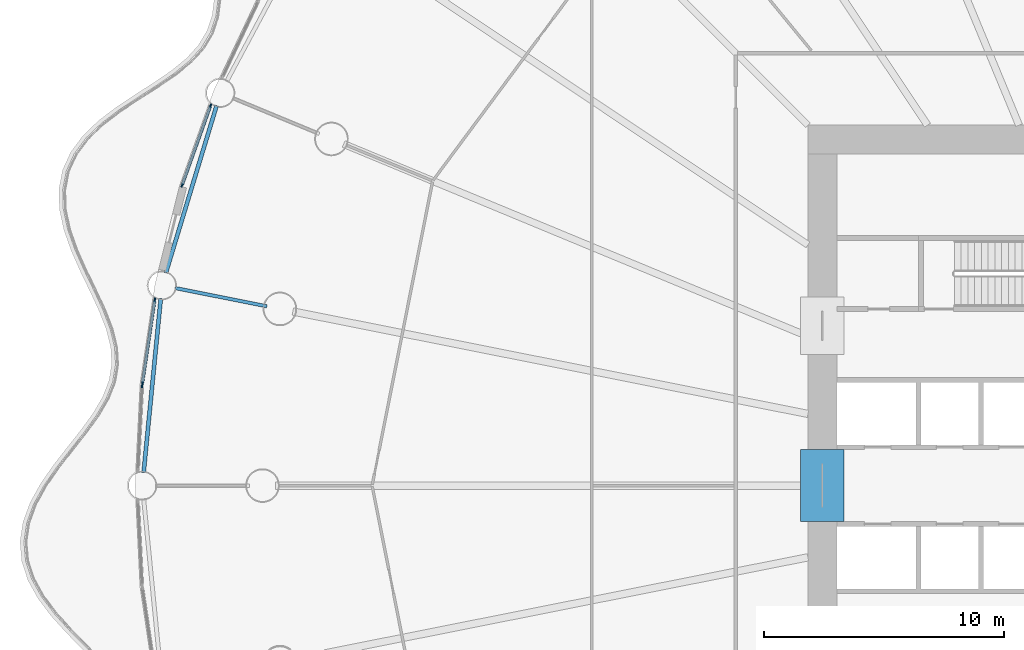
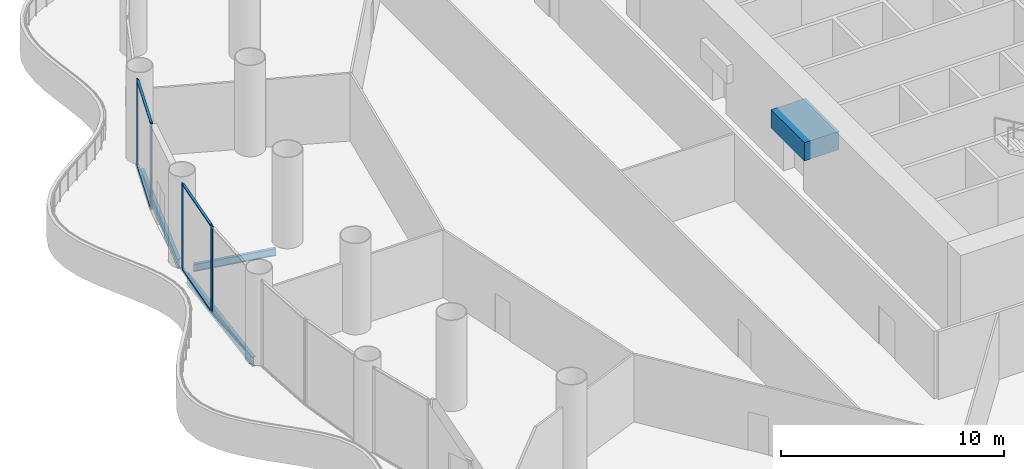
# One storey, part 8 of 36: 9 members, 4 beams, 3 elements without a shape of their own.
"""IFC4 building model written with IfcOpenShell, lengths in metres."""

from ifc_helpers import new_model, si_unit, direction, frame, origin, origin_2d, place, context, subcontext, project, spatial, rectangle, i_section, extrude, material, material_profile, profile_set, type_object, element, aggregate, save


model = new_model("IFC4")

# Units and contexts
model_context = context("Model", 3, precision=1e-05, world=origin(), true_north=direction((0.0, 1.0)))
body_context = subcontext(model_context, "Body", "Model", "MODEL_VIEW")
ifc_project = project(units=[si_unit("LENGTHUNIT", "METRE"), si_unit("AREAUNIT", "SQUARE_METRE"), si_unit("VOLUMEUNIT", "CUBIC_METRE"), si_unit("PLANEANGLEUNIT", "RADIAN"), si_unit("MASSUNIT", "GRAM", prefix="KILO")], contexts=[model_context])

# Site, building, storey
site_placement = place(None, origin())
site = spatial("IfcSite", under=ifc_project, at=site_placement, CompositionType="ELEMENT")
building_placement = place(site_placement, origin())
building = spatial("IfcBuilding", under=site, at=building_placement, Name="Corvane Civic Tower", CompositionType="ELEMENT")
storey_placement = place(building_placement, frame((0.0, 0.0, 17.0)))
storey = spatial("IfcBuildingStorey", under=building, at=storey_placement, Name="L03", CompositionType="ELEMENT", Elevation=17.0)

# Beams
ifc_material_1 = material(Name="Concrete C80/95", Category="concrete")
ifc_material_profile_1 = material_profile(ifc_material_1, rectangle(XDim=1.800048828125, YDim=1.0, at=origin_2d()), Name="COUPLING BEAM 1800X1000")
ifc_profile_set_1 = profile_set([ifc_material_profile_1], Name="Concrete C80/95")
beam_type_1 = type_object("IfcBeamType", Name="COUPLING BEAM COUPLING BEAM 1800X1000", PredefinedType="BEAM", material=ifc_profile_set_1)
beam_1_placement = place(storey_placement, frame((-14.39990234375, -1.5, 2.60009765625), z_axis=(0.0, 1.0, 0.0), x_axis=(-1.0, 0.0, 0.0)))
element("IfcBeam", 1, at=beam_1_placement, inside=storey, type_object=beam_type_1, Name="BM-L03-cpl-CW-LW", PredefinedType="BEAM", context=body_context, shape_type="SweptSolid", body=[
    extrude(rectangle(XDim=1.800048828125, YDim=1.0, at=origin_2d()), origin(), (0.0, 0.0, 1.0), 3.0),
])
ifc_material_2 = material(Name="Steel ASTM A992 Gr 50", Category="steel")
ifc_material_profile_2 = material_profile(ifc_material_2, i_section(OverallWidth=0.165771484375, OverallDepth=0.5283203125, WebThickness=0.009765625, FlangeThickness=0.013671875, at=origin_2d()), Name="W21X50")
ifc_profile_set_2 = profile_set([ifc_material_profile_2], Name="Steel ASTM A992 Gr 50")
beam_type_2 = type_object("IfcBeamType", Name="EDGE BEAM W21X50", PredefinedType="BEAM", material=ifc_profile_set_2)
for number, where, z_axis, x_axis, name in (
    (2, (-42.64599609375, 0.54736328125, -0.564208984375), (0.097984225478, 0.995187967953, 0.0), (-0.995187967953, 0.097984225478, 0.0), "BM-L03-E25"),
    (3, (-41.719970703125, 8.856689453125, -0.564208984375), (0.290291633127, 0.956938225664, 0.0), (-0.956938225664, 0.290291633127, 0.0), "BM-L03-E26"),
):
    element("IfcBeam", number, at=place(storey_placement, frame(where, z_axis=z_axis, x_axis=x_axis)), inside=storey, type_object=beam_type_2, Name=name, PredefinedType="BEAM", context=body_context, shape_type="SweptSolid", body=[
        extrude(i_section(OverallWidth=0.165771484375, OverallDepth=0.5283203125, WebThickness=0.009765625, FlangeThickness=0.013671875, at=origin_2d()), origin(), (0.0, 0.0, 1.0), 7.2705078125),
    ])
ifc_material_3 = material(Name="Steel ASTM A992 Gr 50", Category="steel")
ifc_material_profile_3 = material_profile(ifc_material_3, i_section(OverallWidth=0.140380859375, OverallDepth=0.40380859375, WebThickness=0.007080078125, FlangeThickness=0.01123046875, at=origin_2d()), Name="W16X31")
ifc_profile_set_3 = profile_set([ifc_material_profile_3], Name="Steel ASTM A992 Gr 50")
beam_type_3 = type_object("IfcBeamType", Name="FLOOR GIRDER W16X31", PredefinedType="BEAM", material=ifc_profile_set_3)
beam_2_placement = place(storey_placement, frame((-37.51513671875, 7.462158203125, -0.501953125), z_axis=(-0.980777614264, 0.195128858343, 0.0), x_axis=(-0.195128858343, -0.980777614264, 0.0)))
element("IfcBeam", 4, at=beam_2_placement, inside=storey, type_object=beam_type_3, Name="BM-L03-G26b", PredefinedType="BEAM", context=body_context, shape_type="SweptSolid", body=[
    extrude(i_section(OverallWidth=0.140380859375, OverallDepth=0.40380859375, WebThickness=0.007080078125, FlangeThickness=0.01123046875, at=origin_2d()), origin(), (0.0, 0.0, 1.0), 3.89990234375),
])

# Curtain wall, member
ifc_material_4 = material(Name="Aluminium and glass", Category="aluminium")
curtain_wall_type = type_object("IfcCurtainWallType", Name="PODIUM-CW-P-RUN", PredefinedType="NOTDEFINED", material=ifc_material_4)
curtain_wall_1_placement = place(storey_placement, origin())
curtain_wall_1 = element("IfcCurtainWall", 5, at=curtain_wall_1_placement, inside=storey, type_object=curtain_wall_type, Name="PODI run L03-drum-25A", PredefinedType="NOTDEFINED")
ifc_material_5 = material(Name="Anodised aluminium bronze", Category="aluminium")
ifc_material_profile_4 = material_profile(ifc_material_5, rectangle(XDim=0.06005859375, YDim=0.159912109375, at=origin_2d()), Name="AL 60x160")
ifc_profile_set_4 = profile_set([ifc_material_profile_4], Name="Anodised aluminium bronze")
member_type_1 = type_object("IfcMemberType", Name="PODIUM-CWP-MULLION-60x160", PredefinedType="MULLION", material=ifc_profile_set_4)
member_1_placement = place(storey_placement, frame((-42.70556640625, 4.16064453125, 0.0), z_axis=(0.0, 0.0, 1.0), x_axis=(-0.998796316803, 0.04905015332, 0.0)))
member_1 = element("IfcMember", 6, at=member_1_placement, type_object=member_type_1, Name="CW-P mullion 2", PredefinedType="MULLION", context=body_context, shape_type="SweptSolid", body=[
    extrude(rectangle(XDim=0.06005859375, YDim=0.159912109375, at=origin_2d()), origin(), (0.0, 0.0, 1.0), 4.699951171875),
])
aggregate(curtain_wall_1, [member_1])

# Curtain wall, members
curtain_wall_2_placement = place(storey_placement, origin())
curtain_wall_2 = element("IfcCurtainWall", 7, at=curtain_wall_2_placement, inside=storey, type_object=curtain_wall_type, Name="PODI run L03-drum-25B", PredefinedType="NOTDEFINED")
member_2_placement = place(storey_placement, frame((-42.696533203125, 4.2509765625, 0.0), z_axis=(0.0, 0.0, 1.0), x_axis=(-0.989178850608, 0.146714694252, 0.0)))
member_2 = element("IfcMember", 8, at=member_2_placement, type_object=member_type_1, Name="CW-P mullion 1", PredefinedType="MULLION", context=body_context, shape_type="SweptSolid", body=[
    extrude(rectangle(XDim=0.06005859375, YDim=0.159912109375, at=origin_2d()), origin(), (0.0, 0.0, 1.0), 4.699951171875),
])
member_3_placement = place(storey_placement, frame((-42.18017578125, 7.732666015625, 0.0), z_axis=(0.0, 0.0, 1.0), x_axis=(-0.989178850608, 0.146714694252, 0.0)))
member_3 = element("IfcMember", 9, at=member_3_placement, type_object=member_type_1, Name="CW-P mullion 2", PredefinedType="MULLION", context=body_context, shape_type="SweptSolid", body=[
    extrude(rectangle(XDim=0.06005859375, YDim=0.159912109375, at=origin_2d()), origin(), (0.0, 0.0, 1.0), 4.699951171875),
])

curtain_wall_3_placement = place(storey_placement, origin())
curtain_wall_3 = element("IfcCurtainWall", 10, at=curtain_wall_3_placement, inside=storey, type_object=curtain_wall_type, Name="PODI run L03-drum-26B", PredefinedType="NOTDEFINED")
member_4_placement = place(storey_placement, frame((-41.046875, 12.4990234375, 0.0), z_axis=(0.0, 0.0, 1.0), x_axis=(-0.941533802561, 0.336918534123, 0.0)))
member_4 = element("IfcMember", 11, at=member_4_placement, type_object=member_type_1, Name="CW-P mullion 1", PredefinedType="MULLION", context=body_context, shape_type="SweptSolid", body=[
    extrude(rectangle(XDim=0.06005859375, YDim=0.159912109375, at=origin_2d()), origin(), (0.0, 0.0, 1.0), 4.699951171875),
])
member_5_placement = place(storey_placement, frame((-39.861083984375, 15.81298828125, 0.0), z_axis=(0.0, 0.0, 1.0), x_axis=(-0.941533802561, 0.336918534123, 0.0)))
member_5 = element("IfcMember", 12, at=member_5_placement, type_object=member_type_1, Name="CW-P mullion 2", PredefinedType="MULLION", context=body_context, shape_type="SweptSolid", body=[
    extrude(rectangle(XDim=0.06005859375, YDim=0.159912109375, at=origin_2d()), origin(), (0.0, 0.0, 1.0), 4.699951171875),
])

# Member
ifc_material_6 = material(Name="Anodised aluminium bronze", Category="aluminium")
ifc_material_profile_5 = material_profile(ifc_material_6, rectangle(XDim=0.1201171875, YDim=0.06005859375, at=origin_2d()), Name="AL 120x60")
ifc_profile_set_5 = profile_set([ifc_material_profile_5], Name="Anodised aluminium bronze")
member_type_2 = type_object("IfcMemberType", Name="PODIUM-CWP-TRANSOM-60x120", PredefinedType="USERDEFINED", material=ifc_profile_set_5)
member_6_placement = place(storey_placement, frame((-42.692138671875, 4.28076171875, 0.030029296875), z_axis=(0.146704660039, 0.989180338828, 0.0), x_axis=(-0.989180338828, 0.146704660039, 0.0)))
member_6 = element("IfcMember", 13, at=member_6_placement, type_object=member_type_2, Name="CW-P transom 1.1", ObjectType="TRANSOM", PredefinedType="USERDEFINED", context=body_context, shape_type="SweptSolid", body=[
    extrude(rectangle(XDim=0.1201171875, YDim=0.06005859375, at=origin_2d()), origin(), (0.0, 0.0, 1.0), 3.459716796875),
])

member_7_placement = place(storey_placement, frame((-42.692138671875, 4.28076171875, 4.669921875), z_axis=(0.146704660039, 0.989180338828, 0.0), x_axis=(-0.989180338828, 0.146704660039, 0.0)))
member_7 = element("IfcMember", 14, at=member_7_placement, type_object=member_type_2, Name="CW-P transom 1.2", ObjectType="TRANSOM", PredefinedType="USERDEFINED", context=body_context, shape_type="SweptSolid", body=[
    extrude(rectangle(XDim=0.1201171875, YDim=0.06005859375, at=origin_2d()), origin(), (0.0, 0.0, 1.0), 3.459716796875),
])

aggregate(curtain_wall_2, [member_2, member_3, member_6, member_7])

member_8_placement = place(storey_placement, frame((-41.036865234375, 12.527099609375, 0.030029296875), z_axis=(0.336939787896, 0.941526196838, 0.0), x_axis=(-0.941526196838, 0.336939787896, 0.0)))
member_8 = element("IfcMember", 15, at=member_8_placement, type_object=member_type_2, Name="CW-P transom 1.1", ObjectType="TRANSOM", PredefinedType="USERDEFINED", context=body_context, shape_type="SweptSolid", body=[
    extrude(rectangle(XDim=0.1201171875, YDim=0.06005859375, at=origin_2d()), origin(), (0.0, 0.0, 1.0), 3.4599609375),
])

member_9_placement = place(storey_placement, frame((-41.036865234375, 12.527099609375, 4.669921875), z_axis=(0.336939787896, 0.941526196838, 0.0), x_axis=(-0.941526196838, 0.336939787896, 0.0)))
member_9 = element("IfcMember", 16, at=member_9_placement, type_object=member_type_2, Name="CW-P transom 1.2", ObjectType="TRANSOM", PredefinedType="USERDEFINED", context=body_context, shape_type="SweptSolid", body=[
    extrude(rectangle(XDim=0.1201171875, YDim=0.06005859375, at=origin_2d()), origin(), (0.0, 0.0, 1.0), 3.4599609375),
])

aggregate(curtain_wall_3, [member_4, member_5, member_8, member_9])

save(model, "model.ifc")
